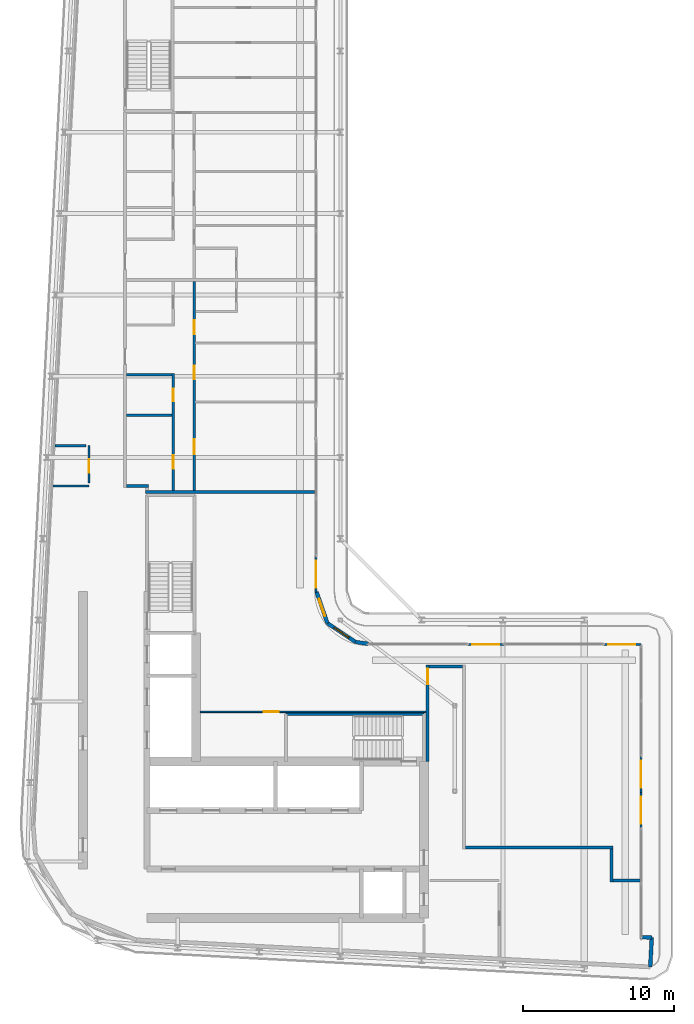
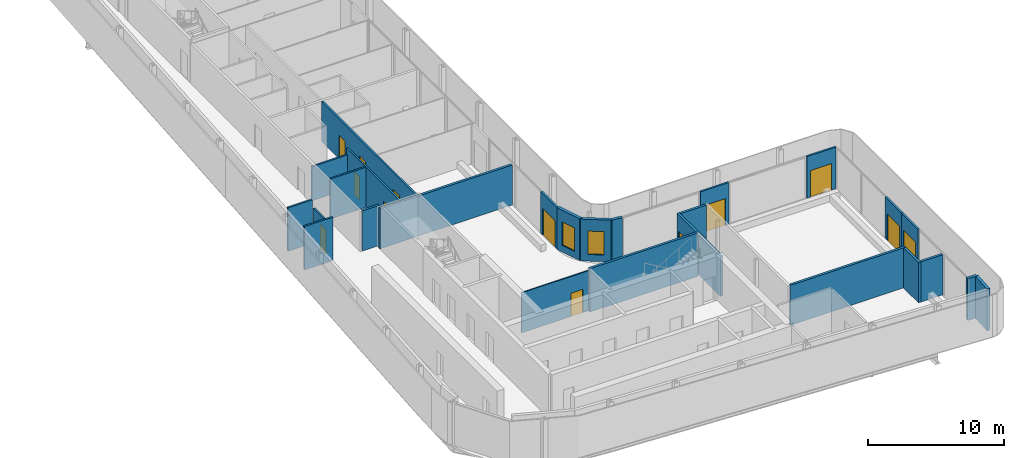
# One storey, part 12 of 20: 26 walls, 13 doors, 2 windows, 15 openings.
"""IFC4 building model written with IfcOpenShell, lengths in metres."""

from ifc_helpers import new_model, si_unit, direction, frame, frame_2d, origin, place, context, subcontext, project, spatial, rectangle, extrude, source, transform, mapped, material, layer, layer_set, type_object, element, fill, save


model = new_model("IFC4")

# Units and contexts
model_context = context("Model", 3, precision=1e-05, world=origin(), true_north=direction((0.0, 1.0)))
body_context = subcontext(model_context, "Body", "Model", "MODEL_VIEW")
ifc_project = project(units=[si_unit("LENGTHUNIT", "METRE"), si_unit("AREAUNIT", "SQUARE_METRE"), si_unit("VOLUMEUNIT", "CUBIC_METRE"), si_unit("PLANEANGLEUNIT", "RADIAN"), si_unit("MASSUNIT", "GRAM", prefix="KILO")], contexts=[model_context])

# Site, building, storey
site_placement = place(None, origin())
site = spatial("IfcSite", under=ifc_project, at=site_placement, CompositionType="ELEMENT")
building_placement = place(site_placement, origin())
building = spatial("IfcBuilding", under=site, at=building_placement, Name="Kheshtan School and Residences Tower", CompositionType="ELEMENT")
storey_placement = place(building_placement, frame((0.0, 0.0, 286.39990234375)))
storey = spatial("IfcBuildingStorey", under=building, at=storey_placement, Name="L67", CompositionType="ELEMENT", Elevation=286.39990234375)

# Wall
ifc_material_1 = material(Name="Gypsum board on steel studs with fire boards", Category="steel")
ifc_layer_1 = layer(ifc_material_1, 0.199951171875)
ifc_layer_set_1 = layer_set([ifc_layer_1], Name="Corridor wall 200")
wall_type_1 = type_object("IfcWallType", Name="Corridor wall 200", PredefinedType="PARTITIONING", material=ifc_layer_set_1)
wall_1_placement = place(storey_placement, frame((33.39990234375, 54.5, 0.0), z_axis=(0.0, 0.0, 1.0), x_axis=(1.0, 0.0, 0.0)))
element("IfcWall", 1, at=wall_1_placement, inside=storey, type_object=wall_type_1, Name="Partition L67-005", PredefinedType="PARTITIONING", context=body_context, shape_type="SweptSolid", body=[
    extrude(rectangle(XDim=1.4501953125, YDim=0.199951171875, at=frame_2d((0.72509765625, 0.0))), origin(), (0.0, 0.0, 1.0), 3.60009765625),
])

# Wall, opening, door
wall_2_placement = place(storey_placement, frame((53.39990234375, 36.198974609375, 0.0), z_axis=(0.0, 0.0, 1.0), x_axis=(0.0, 1.0, 0.0)))
wall_2 = element("IfcWall", 2, at=wall_2_placement, inside=storey, type_object=wall_type_1, Name="Partition L67-039", PredefinedType="PARTITIONING", context=body_context, shape_type="SweptSolid", body=[
    extrude(rectangle(XDim=6.401123046875, YDim=0.199951171875, at=frame_2d((3.20068359375, 0.0))), origin(), (0.0, 0.0, 1.0), 3.60009765625),
])
opening_1_placement = place(wall_2_placement, frame((5.15087890625, 0.0, 0.0)))
opening_1 = element("IfcOpeningElement", 3, at=opening_1_placement, cuts=wall_2, Name="Opening D66-502", PredefinedType="OPENING", context=body_context, shape_type="SweptSolid", body=[
    extrude(rectangle(XDim=1.0, YDim=2.10009765625, at=frame_2d((0.5, 1.050048828125))), frame((0.0, 0.10986328125, 0.0), z_axis=(0.0, -1.0, 0.0), x_axis=(1.0, 0.0, 0.0)), (0.0, 0.0, 1.0), 0.219970703125),
])
ifc_material_2 = material(Name="Steel-framed fire-resisting door leaf", Category="steel")
door_type_1 = type_object("IfcDoorType", Name="Fire door FD60 1000 x 2100", OperationType="SINGLE_SWING_LEFT", PredefinedType="DOOR", material=ifc_material_2)
shared_shape_1 = source(origin(), body_context, "Body", "SweptSolid", [
    extrude(rectangle(XDim=1.0, YDim=2.10009765625, at=frame_2d((0.5, 1.050048828125))), frame((0.0, 0.02490234375, 0.0), z_axis=(0.0, -1.0, 0.0), x_axis=(1.0, 0.0, 0.0)), (0.0, 0.0, 1.0), 0.050048828125),
])
door_1_placement = place(opening_1_placement, origin())
door_1 = element("IfcDoor", 4, at=door_1_placement, inside=storey, type_object=door_type_1, Name="Door D66-502", OperationType="SINGLE_SWING_RIGHT", OverallHeight=2.10009765625, OverallWidth=1.0, PredefinedType="DOOR", context=body_context, shape_type="MappedRepresentation", body=[
    mapped(shared_shape_1, transform((0.0, 0.0, 0.0), x_axis=(1.0, 0.0, 0.0), y_axis=(0.0, 1.0, 0.0), z_axis=(0.0, 0.0, 1.0), scale=1.0)),
])
fill(opening_1, door_1)

# Walls
wall_3_placement = place(storey_placement, frame((53.5, 42.5, 0.0), z_axis=(0.0, 0.0, 1.0), x_axis=(1.0, 0.0, 0.0)))
element("IfcWall", 5, at=wall_3_placement, inside=storey, type_object=wall_type_1, Name="Partition L67-040", PredefinedType="PARTITIONING", context=body_context, shape_type="SweptSolid", body=[
    extrude(rectangle(XDim=2.199951171875, YDim=0.199951171875, at=frame_2d((1.10009765625, 0.0))), origin(), (0.0, 0.0, 1.0), 3.60009765625),
])
wall_4_placement = place(storey_placement, frame((55.89990234375, 30.5, 0.0), z_axis=(0.0, 0.0, 1.0), x_axis=(1.0, 0.0, 0.0)))
element("IfcWall", 6, at=wall_4_placement, inside=storey, type_object=wall_type_1, Name="Partition L67-042", PredefinedType="PARTITIONING", context=body_context, shape_type="SweptSolid", body=[
    extrude(rectangle(XDim=9.800048828125, YDim=0.199951171875, at=frame_2d((4.89990234375, 0.0))), origin(), (0.0, 0.0, 1.0), 3.60009765625),
])
wall_5_placement = place(storey_placement, frame((65.60009765625, 28.199951171875, 0.0), z_axis=(0.0, 0.0, 1.0), x_axis=(0.0, 1.0, 0.0)))
element("IfcWall", 7, at=wall_5_placement, inside=storey, type_object=wall_type_1, Name="Partition L67-043", PredefinedType="PARTITIONING", context=body_context, shape_type="SweptSolid", body=[
    extrude(rectangle(XDim=2.199951171875, YDim=0.199951171875, at=frame_2d((1.10009765625, 0.0))), origin(), (0.0, 0.0, 1.0), 3.60009765625),
])
wall_6_placement = place(storey_placement, frame((65.699951171875, 28.300048828125, 0.0), z_axis=(0.0, 0.0, 1.0), x_axis=(1.0, 0.0, 0.0)))
element("IfcWall", 8, at=wall_6_placement, inside=storey, type_object=wall_type_1, Name="Partition L67-044", PredefinedType="PARTITIONING", context=body_context, shape_type="SweptSolid", body=[
    extrude(rectangle(XDim=1.8701171875, YDim=0.199951171875, at=frame_2d((0.93505859375, 0.0))), origin(), (0.0, 0.0, 1.0), 3.60009765625),
])

# Wall, opening, window
ifc_material_3 = material(Name="Concrete C40/50 with ceramic cladding and mineral wool insulation", Category="concrete")
ifc_layer_2 = layer(ifc_material_3, 0.25)
ifc_layer_set_2 = layer_set([ifc_layer_2], Name="External wall 250 ceramic clad")
wall_type_2 = type_object("IfcWallType", Name="External wall 250 ceramic clad", PredefinedType="SOLIDWALL", material=ifc_layer_set_2)
wall_7_placement = place(storey_placement, frame((46.01806640625, 47.470947265625, 0.0), z_axis=(0.0, 0.0, 1.0), x_axis=(0.328791208903, -0.944402637093, 0.0)))
wall_7 = element("IfcWall", 9, at=wall_7_placement, inside=storey, type_object=wall_type_2, Name="External wall L67 9", PredefinedType="SOLIDWALL", context=body_context, shape_type="SweptSolid", body=[
    extrude(rectangle(XDim=2.20458984375, YDim=0.25, at=frame_2d((1.102294921875, 0.0))), origin(), (0.0, 0.0, 1.0), 3.75),
])
opening_2_placement = place(wall_7_placement, frame((0.5029296875, 0.0, 0.60009765625)))
opening_2 = element("IfcOpeningElement", 10, at=opening_2_placement, cuts=wall_7, Name="Opening WN-E", PredefinedType="OPENING", context=body_context, shape_type="SweptSolid", body=[
    extrude(rectangle(XDim=1.199951171875, YDim=2.10009765625, at=frame_2d((0.60009765625, 1.050048828125))), frame((0.0, 0.135009765625, 0.0), z_axis=(0.0, -1.0, 0.0), x_axis=(1.0, 0.0, 0.0)), (0.0, 0.0, 1.0), 0.27001953125),
])
ifc_material_4 = material(Name="Clear low-e glass in thermally broken aluminium frame", Category="aluminium")
window_type = type_object("IfcWindowType", Name="Window WN-E", PartitioningType="SINGLE_PANEL", PredefinedType="WINDOW", material=ifc_material_4)
shared_shape_2 = source(origin(), body_context, "Body", "SweptSolid", [
    extrude(rectangle(XDim=1.199951171875, YDim=2.10009765625, at=frame_2d((0.60009765625, 1.050048828125))), frame((0.0, 0.030029296875, 0.0), z_axis=(0.0, -1.0, 0.0), x_axis=(1.0, 0.0, 0.0)), (0.0, 0.0, 1.0), 0.06005859375),
])
window_1_placement = place(opening_2_placement, origin())
window_1 = element("IfcWindow", 11, at=window_1_placement, inside=storey, type_object=window_type, Name="Window L67 9", OverallHeight=2.10009765625, OverallWidth=1.199951171875, PartitioningType="SINGLE_PANEL", PredefinedType="WINDOW", context=body_context, shape_type="MappedRepresentation", body=[
    mapped(shared_shape_2, transform((0.0, 0.0, 0.0), x_axis=(1.0, 0.0, 0.0), y_axis=(0.0, 1.0, 0.0), z_axis=(0.0, 0.0, 1.0), scale=1.0)),
])
fill(opening_2, window_1)

wall_8_placement = place(storey_placement, frame((46.742919921875, 45.388916015625, 0.0), z_axis=(0.0, 0.0, 1.0), x_axis=(0.831449265529, -0.555600682912, 0.0)))
wall_8 = element("IfcWall", 12, at=wall_8_placement, inside=storey, type_object=wall_type_2, Name="External wall L67 10", PredefinedType="SOLIDWALL", context=body_context, shape_type="SweptSolid", body=[
    extrude(rectangle(XDim=2.25146484375, YDim=0.25, at=frame_2d((1.125732421875, 0.0))), origin(), (0.0, 0.0, 1.0), 3.75),
])
opening_3_placement = place(wall_8_placement, frame((0.52490234375, 0.0, 0.60009765625)))
opening_3 = element("IfcOpeningElement", 13, at=opening_3_placement, cuts=wall_8, Name="Opening WN-E", PredefinedType="OPENING", context=body_context, shape_type="SweptSolid", body=[
    extrude(rectangle(XDim=1.199951171875, YDim=2.10009765625, at=frame_2d((0.60009765625, 1.050048828125))), frame((0.0, 0.135009765625, 0.0), z_axis=(0.0, -1.0, 0.0), x_axis=(1.0, 0.0, 0.0)), (0.0, 0.0, 1.0), 0.27001953125),
])
window_2_placement = place(opening_3_placement, origin())
window_2 = element("IfcWindow", 14, at=window_2_placement, inside=storey, type_object=window_type, Name="Window L67 10", OverallHeight=2.10009765625, OverallWidth=1.199951171875, PartitioningType="SINGLE_PANEL", PredefinedType="WINDOW", context=body_context, shape_type="MappedRepresentation", body=[
    mapped(shared_shape_2, transform((0.0, 0.0, 0.0), x_axis=(1.0, 0.0, 0.0), y_axis=(0.0, 1.0, 0.0), z_axis=(0.0, 0.0, 1.0), scale=1.0)),
])
fill(opening_3, window_2)

# Walls
wall_9_placement = place(storey_placement, frame((48.614990234375, 44.137939453125, 0.0), z_axis=(0.0, 0.0, 1.0), x_axis=(0.990741504246, -0.135761819977, 0.0)))
element("IfcWall", 15, at=wall_9_placement, inside=storey, type_object=wall_type_2, Name="External wall L67 11", PredefinedType="SOLIDWALL", context=body_context, shape_type="SweptSolid", body=[
    extrude(rectangle(XDim=0.83984375, YDim=0.25, at=frame_2d((0.419921875, 0.0))), origin(), (0.0, 0.0, 1.0), 3.75),
])
wall_10_placement = place(storey_placement, frame((67.507080078125, 24.5439453125, 0.0), z_axis=(0.0, 0.0, 1.0), x_axis=(0.998561284263, -0.053622398031, 0.0)))
element("IfcWall", 16, at=wall_10_placement, inside=storey, type_object=wall_type_2, Name="External wall L67 14", PredefinedType="SOLIDWALL", context=body_context, shape_type="SweptSolid", body=[
    extrude(rectangle(XDim=0.783203125, YDim=0.25, at=frame_2d((0.3916015625, 0.0))), origin(), (0.0, 0.0, 1.0), 3.75),
])
wall_11_placement = place(storey_placement, frame((68.2890625, 24.501953125, 0.0), z_axis=(0.0, 0.0, 1.0), x_axis=(-0.052841433274, -0.998602915542, 0.0)))
element("IfcWall", 17, at=wall_11_placement, inside=storey, type_object=wall_type_2, Name="External wall L67 15", PredefinedType="SOLIDWALL", context=body_context, shape_type="SweptSolid", body=[
    extrude(rectangle(XDim=1.94970703125, YDim=0.25, at=frame_2d((0.974853515625, 0.0))), origin(), (0.0, 0.0, 1.0), 3.75),
])

# Wall, opening, door
ifc_material_5 = material(Name="Aluminium frame wall with insulated infill", Category="aluminium")
ifc_layer_3 = layer(ifc_material_5, 0.14990234375)
ifc_layer_set_3 = layer_set([ifc_layer_3], Name="Glazing frame wall 150")
wall_type_3 = type_object("IfcWallType", Name="Glazing frame wall 150", PredefinedType="SOLIDWALL", material=ifc_layer_set_3)
wall_12_placement = place(storey_placement, frame((45.97509765625, 49.830078125, 0.0), z_axis=(0.0, 0.0, 1.0), x_axis=(0.0, -1.0, 0.0)))
wall_12 = element("IfcWall", 18, at=wall_12_placement, inside=storey, type_object=wall_type_3, Name="Balcony door wall L67 8.5", PredefinedType="SOLIDWALL", context=body_context, shape_type="SweptSolid", body=[
    extrude(rectangle(XDim=2.400146484375, YDim=0.14990234375, at=frame_2d((1.2001953125, 0.0))), origin(), (0.0, 0.0, 1.0), 3.75),
])
opening_4_placement = place(wall_12_placement, frame((0.300048828125, 0.0, 0.0)))
opening_4 = element("IfcOpeningElement", 19, at=opening_4_placement, cuts=wall_12, Name="Opening BD", PredefinedType="OPENING", context=body_context, shape_type="SweptSolid", body=[
    extrude(rectangle(XDim=1.800048828125, YDim=2.39990234375, at=frame_2d((0.89990234375, 1.199951171875))), frame((0.0, 0.0849609375, 0.0), z_axis=(0.0, -1.0, 0.0), x_axis=(1.0, 0.0, 0.0)), (0.0, 0.0, 1.0), 0.169921875),
])
door_type_2 = type_object("IfcDoorType", Name="Balcony sliding door", OperationType="SLIDING_TO_LEFT", PredefinedType="DOOR", material=ifc_material_4)
shared_shape_3 = source(origin(), body_context, "Body", "SweptSolid", [
    extrude(rectangle(XDim=1.800048828125, YDim=2.39990234375, at=frame_2d((0.89990234375, 1.199951171875))), frame((0.0, 0.02490234375, 0.0), z_axis=(0.0, -1.0, 0.0), x_axis=(1.0, 0.0, 0.0)), (0.0, 0.0, 1.0), 0.050048828125),
])
door_2_placement = place(opening_4_placement, origin())
door_2 = element("IfcDoor", 20, at=door_2_placement, inside=storey, type_object=door_type_2, Name="Balcony door L67 8.5", OperationType="SLIDING_TO_LEFT", OverallHeight=2.39990234375, OverallWidth=1.800048828125, PredefinedType="DOOR", context=body_context, shape_type="MappedRepresentation", body=[
    mapped(shared_shape_3, transform((0.0, 0.0, 0.0), x_axis=(1.0, 0.0, 0.0), y_axis=(0.0, 1.0, 0.0), z_axis=(0.0, 0.0, 1.0), scale=1.0)),
])
fill(opening_4, door_2)

wall_13_placement = place(storey_placement, frame((56.06494140625, 43.97509765625, 0.0), z_axis=(0.0, 0.0, 1.0), x_axis=(1.0, 0.0, 0.0)))
wall_13 = element("IfcWall", 21, at=wall_13_placement, inside=storey, type_object=wall_type_3, Name="Balcony door wall L67 12.1", PredefinedType="SOLIDWALL", context=body_context, shape_type="SweptSolid", body=[
    extrude(rectangle(XDim=2.400146484375, YDim=0.14990234375, at=frame_2d((1.2001953125, 0.0))), origin(), (0.0, 0.0, 1.0), 3.75),
])
opening_5_placement = place(wall_13_placement, frame((0.300048828125, 0.0, 0.0)))
opening_5 = element("IfcOpeningElement", 22, at=opening_5_placement, cuts=wall_13, Name="Opening BD", PredefinedType="OPENING", context=body_context, shape_type="SweptSolid", body=[
    extrude(rectangle(XDim=1.800048828125, YDim=2.39990234375, at=frame_2d((0.89990234375, 1.199951171875))), frame((0.0, 0.0849609375, 0.0), z_axis=(0.0, -1.0, 0.0), x_axis=(1.0, 0.0, 0.0)), (0.0, 0.0, 1.0), 0.169921875),
])
door_3_placement = place(opening_5_placement, origin())
door_3 = element("IfcDoor", 23, at=door_3_placement, inside=storey, type_object=door_type_2, Name="Balcony door L67 12.1", OperationType="SLIDING_TO_LEFT", OverallHeight=2.39990234375, OverallWidth=1.800048828125, PredefinedType="DOOR", context=body_context, shape_type="MappedRepresentation", body=[
    mapped(shared_shape_3, transform((0.0, 0.0, 0.0), x_axis=(1.0, 0.0, 0.0), y_axis=(0.0, 1.0, 0.0), z_axis=(0.0, 0.0, 1.0), scale=1.0)),
])
fill(opening_5, door_3)

wall_14_placement = place(storey_placement, frame((65.10009765625, 43.97509765625, 0.0), z_axis=(0.0, 0.0, 1.0), x_axis=(1.0, 0.0, 0.0)))
wall_14 = element("IfcWall", 24, at=wall_14_placement, inside=storey, type_object=wall_type_3, Name="Balcony door wall L67 12.2", PredefinedType="SOLIDWALL", context=body_context, shape_type="SweptSolid", body=[
    extrude(rectangle(XDim=2.469970703125, YDim=0.14990234375, at=frame_2d((1.23486328125, 0.0))), origin(), (0.0, 0.0, 1.0), 3.75),
])
opening_6_placement = place(wall_14_placement, frame((0.300048828125, 0.0, 0.0)))
opening_6 = element("IfcOpeningElement", 25, at=opening_6_placement, cuts=wall_14, Name="Opening BD", PredefinedType="OPENING", context=body_context, shape_type="SweptSolid", body=[
    extrude(rectangle(XDim=1.800048828125, YDim=2.39990234375, at=frame_2d((0.89990234375, 1.199951171875))), frame((0.0, 0.0849609375, 0.0), z_axis=(0.0, -1.0, 0.0), x_axis=(1.0, 0.0, 0.0)), (0.0, 0.0, 1.0), 0.169921875),
])
door_4_placement = place(opening_6_placement, origin())
door_4 = element("IfcDoor", 26, at=door_4_placement, inside=storey, type_object=door_type_2, Name="Balcony door L67 12.2", OperationType="SLIDING_TO_LEFT", OverallHeight=2.39990234375, OverallWidth=1.800048828125, PredefinedType="DOOR", context=body_context, shape_type="MappedRepresentation", body=[
    mapped(shared_shape_3, transform((0.0, 0.0, 0.0), x_axis=(1.0, 0.0, 0.0), y_axis=(0.0, 1.0, 0.0), z_axis=(0.0, 0.0, 1.0), scale=1.0)),
])
fill(opening_6, door_4)

wall_15_placement = place(storey_placement, frame((67.574951171875, 36.55908203125, 0.0), z_axis=(0.0, 0.0, 1.0), x_axis=(0.0, -1.0, 0.0)))
wall_15 = element("IfcWall", 27, at=wall_15_placement, inside=storey, type_object=wall_type_3, Name="Balcony door wall L67 13.1", PredefinedType="SOLIDWALL", context=body_context, shape_type="SweptSolid", body=[
    extrude(rectangle(XDim=2.399169921875, YDim=0.14990234375, at=frame_2d((1.19970703125, 0.0))), origin(), (0.0, 0.0, 1.0), 3.75),
])
opening_7_placement = place(wall_15_placement, frame((0.300048828125, 0.0, 0.0)))
opening_7 = element("IfcOpeningElement", 28, at=opening_7_placement, cuts=wall_15, Name="Opening BD", PredefinedType="OPENING", context=body_context, shape_type="SweptSolid", body=[
    extrude(rectangle(XDim=1.800048828125, YDim=2.39990234375, at=frame_2d((0.89990234375, 1.199951171875))), frame((0.0, 0.0849609375, 0.0), z_axis=(0.0, -1.0, 0.0), x_axis=(1.0, 0.0, 0.0)), (0.0, 0.0, 1.0), 0.169921875),
])
door_5_placement = place(opening_7_placement, origin())
door_5 = element("IfcDoor", 29, at=door_5_placement, inside=storey, type_object=door_type_2, Name="Balcony door L67 13.1", OperationType="SLIDING_TO_LEFT", OverallHeight=2.39990234375, OverallWidth=1.800048828125, PredefinedType="DOOR", context=body_context, shape_type="MappedRepresentation", body=[
    mapped(shared_shape_3, transform((0.0, 0.0, 0.0), x_axis=(1.0, 0.0, 0.0), y_axis=(0.0, 1.0, 0.0), z_axis=(0.0, 0.0, 1.0), scale=1.0)),
])
fill(opening_7, door_5)

wall_16_placement = place(storey_placement, frame((67.574951171875, 34.159912109375, 0.0), z_axis=(0.0, 0.0, 1.0), x_axis=(0.0, -1.0, 0.0)))
wall_16 = element("IfcWall", 30, at=wall_16_placement, inside=storey, type_object=wall_type_3, Name="Balcony door wall L67 13.2", PredefinedType="SOLIDWALL", context=body_context, shape_type="SweptSolid", body=[
    extrude(rectangle(XDim=2.40087890625, YDim=0.14990234375, at=frame_2d((1.200439453125, 0.0))), origin(), (0.0, 0.0, 1.0), 3.75),
])
opening_8_placement = place(wall_16_placement, frame((0.300048828125, 0.0, 0.0)))
opening_8 = element("IfcOpeningElement", 31, at=opening_8_placement, cuts=wall_16, Name="Opening BD", PredefinedType="OPENING", context=body_context, shape_type="SweptSolid", body=[
    extrude(rectangle(XDim=1.800048828125, YDim=2.39990234375, at=frame_2d((0.89990234375, 1.199951171875))), frame((0.0, 0.0849609375, 0.0), z_axis=(0.0, -1.0, 0.0), x_axis=(1.0, 0.0, 0.0)), (0.0, 0.0, 1.0), 0.169921875),
])
door_6_placement = place(opening_8_placement, origin())
door_6 = element("IfcDoor", 32, at=door_6_placement, inside=storey, type_object=door_type_2, Name="Balcony door L67 13.2", OperationType="SLIDING_TO_LEFT", OverallHeight=2.39990234375, OverallWidth=1.800048828125, PredefinedType="DOOR", context=body_context, shape_type="MappedRepresentation", body=[
    mapped(shared_shape_3, transform((0.0, 0.0, 0.0), x_axis=(1.0, 0.0, 0.0), y_axis=(0.0, 1.0, 0.0), z_axis=(0.0, 0.0, 1.0), scale=1.0)),
])
fill(opening_8, door_6)

ifc_material_6 = material(Name="Gypsum board on steel studs", Category="steel")
ifc_layer_4 = layer(ifc_material_6, 0.10009765625)
ifc_layer_set_4 = layer_set([ifc_layer_4], Name="Gypsum partition 100")
wall_type_4 = type_object("IfcWallType", Name="Gypsum partition 100", PredefinedType="PARTITIONING", material=ifc_layer_set_4)
wall_17_placement = place(storey_placement, frame((38.299072265625, 39.5, 0.0), z_axis=(0.0, 0.0, 1.0), x_axis=(1.0, 0.0, 0.0)))
wall_17 = element("IfcWall", 33, at=wall_17_placement, inside=storey, type_object=wall_type_4, Name="Partition L67-036", PredefinedType="PARTITIONING", context=body_context, shape_type="SweptSolid", body=[
    extrude(rectangle(XDim=15.0009765625, YDim=0.10009765625, at=frame_2d((7.50048828125, 0.0))), origin(), (0.0, 0.0, 1.0), 3.60009765625),
])
opening_9_placement = place(wall_17_placement, frame((4.197021484375, 0.0, 0.0)))
opening_9 = element("IfcOpeningElement", 34, at=opening_9_placement, cuts=wall_17, Name="Opening D66-501", PredefinedType="OPENING", context=body_context, shape_type="SweptSolid", body=[
    extrude(rectangle(XDim=1.0, YDim=2.10009765625, at=frame_2d((0.5, 1.050048828125))), frame((0.0, 0.06005859375, 0.0), z_axis=(0.0, -1.0, 0.0), x_axis=(1.0, 0.0, 0.0)), (0.0, 0.0, 1.0), 0.1201171875),
])
ifc_material_7 = material(Name="Veneered timber door leaf", Category="wood")
door_type_3 = type_object("IfcDoorType", Name="Door 1000 x 2100", OperationType="SINGLE_SWING_LEFT", PredefinedType="DOOR", material=ifc_material_7)
shared_shape_4 = source(origin(), body_context, "Body", "SweptSolid", [
    extrude(rectangle(XDim=1.0, YDim=2.10009765625, at=frame_2d((0.5, 1.050048828125))), frame((0.0, 0.02490234375, 0.0), z_axis=(0.0, -1.0, 0.0), x_axis=(1.0, 0.0, 0.0)), (0.0, 0.0, 1.0), 0.050048828125),
])
door_7_placement = place(opening_9_placement, origin())
door_7 = element("IfcDoor", 35, at=door_7_placement, inside=storey, type_object=door_type_3, Name="Door D66-501", OperationType="SINGLE_SWING_LEFT", OverallHeight=2.10009765625, OverallWidth=1.0, PredefinedType="DOOR", context=body_context, shape_type="MappedRepresentation", body=[
    mapped(shared_shape_4, transform((0.0, 0.0, 0.0), x_axis=(1.0, 0.0, 0.0), y_axis=(0.0, 1.0, 0.0), z_axis=(0.0, 0.0, 1.0), scale=1.0)),
])
fill(opening_9, door_7)

# Wall
ifc_material_8 = material(Name="Fire-board shaft wall system")
ifc_layer_5 = layer(ifc_material_8, 0.14990234375)
ifc_layer_set_5 = layer_set([ifc_layer_5], Name="Service room wall 150")
wall_type_5 = type_object("IfcWallType", Name="Service room wall 150", PredefinedType="PARTITIONING", material=ifc_layer_set_5)
wall_18_placement = place(storey_placement, frame((28.508056640625, 54.5, 0.0), z_axis=(0.0, 0.0, 1.0), x_axis=(1.0, 0.0, 0.0)))
element("IfcWall", 36, at=wall_18_placement, inside=storey, type_object=wall_type_5, Name="Service room wall", PredefinedType="PARTITIONING", context=body_context, shape_type="SweptSolid", body=[
    extrude(rectangle(XDim=2.391845703125, YDim=0.14990234375, at=frame_2d((1.19580078125, 0.0))), origin(), (0.0, 0.0, 1.0), 3.900146484375),
])

# Wall, opening, door
wall_19_placement = place(storey_placement, frame((30.89990234375, 54.695068359375, 0.0), z_axis=(0.0, 0.0, 1.0), x_axis=(0.0, 1.0, 0.0)))
wall_19 = element("IfcWall", 37, at=wall_19_placement, inside=storey, type_object=wall_type_5, Name="Service room wall", PredefinedType="PARTITIONING", context=body_context, shape_type="SweptSolid", body=[
    extrude(rectangle(XDim=2.48681640625, YDim=0.14990234375, at=frame_2d((1.243408203125, 0.0))), origin(), (0.0, 0.0, 1.0), 3.072021484375),
])
opening_10_placement = place(wall_19_placement, frame((0.696044921875, 0.0, 0.0)))
opening_10 = element("IfcOpeningElement", 38, at=opening_10_placement, cuts=wall_19, Name="Opening SR90", PredefinedType="OPENING", context=body_context, shape_type="SweptSolid", body=[
    extrude(rectangle(XDim=0.89990234375, YDim=2.199951171875, at=frame_2d((0.449951171875, 1.10009765625))), frame((0.0, 0.0849609375, 0.0), z_axis=(0.0, -1.0, 0.0), x_axis=(1.0, 0.0, 0.0)), (0.0, 0.0, 1.0), 0.169921875),
])
ifc_material_9 = material(Name="Steel door leaf, galvanised", Category="steel")
door_type_4 = type_object("IfcDoorType", Name="Service room door 900 steel 90 min", OperationType="SINGLE_SWING_LEFT", PredefinedType="DOOR", material=ifc_material_9)
shared_shape_5 = source(origin(), body_context, "Body", "SweptSolid", [
    extrude(rectangle(XDim=0.89990234375, YDim=2.199951171875, at=frame_2d((0.449951171875, 1.10009765625))), frame((0.0, 0.02490234375, 0.0), z_axis=(0.0, -1.0, 0.0), x_axis=(1.0, 0.0, 0.0)), (0.0, 0.0, 1.0), 0.050048828125),
])
door_8_placement = place(opening_10_placement, origin())
door_8 = element("IfcDoor", 39, at=door_8_placement, inside=storey, type_object=door_type_4, Name="Service room door", OperationType="SINGLE_SWING_LEFT", OverallHeight=2.199951171875, OverallWidth=0.89990234375, PredefinedType="DOOR", context=body_context, shape_type="MappedRepresentation", body=[
    mapped(shared_shape_5, transform((0.0, 0.0, 0.0), x_axis=(1.0, 0.0, 0.0), y_axis=(0.0, 1.0, 0.0), z_axis=(0.0, 0.0, 1.0), scale=1.0)),
])
fill(opening_10, door_8)

# Walls
wall_20_placement = place(storey_placement, frame((28.64892578125, 57.181884765625, 0.0), z_axis=(0.0, 0.0, 1.0), x_axis=(1.0, 0.0, 0.0)))
element("IfcWall", 40, at=wall_20_placement, inside=storey, type_object=wall_type_5, Name="Service room wall", PredefinedType="PARTITIONING", context=body_context, shape_type="SweptSolid", body=[
    extrude(rectangle(XDim=2.05615234375, YDim=0.14990234375, at=frame_2d((1.028076171875, 0.0))), origin(), (0.0, 0.0, 1.0), 3.900146484375),
])
ifc_material_10 = material(Name="Concrete C40/50", Category="concrete")
ifc_layer_6 = layer(ifc_material_10, 0.199951171875)
ifc_layer_set_6 = layer_set([ifc_layer_6], Name="Stair enclosure wall 200 Concrete C40/50")
wall_type_6 = type_object("IfcWallType", Name="Stair enclosure wall 200 Concrete C40/50", PredefinedType="SHEAR", material=ifc_layer_set_6)
wall_21_placement = place(storey_placement, frame((43.989990234375, 39.35009765625, 0.0), z_axis=(0.0, 0.0, 1.0), x_axis=(1.0, 0.0, 0.0)))
element("IfcWall", 41, at=wall_21_placement, inside=storey, type_object=wall_type_6, Name="Stair enclosure wall ST1", PredefinedType="SHEAR", context=body_context, shape_type="SweptSolid", body=[
    extrude(rectangle(XDim=9.159912109375, YDim=0.199951171875, at=frame_2d((4.580078125, 0.0))), origin(), (0.0, 0.0, 1.0), 3.900146484375),
])
ifc_material_11 = material(Name="Twin gypsum board on steel studs with mineral wool", Category="steel")
ifc_layer_7 = layer(ifc_material_11, 0.199951171875)
ifc_layer_set_7 = layer_set([ifc_layer_7], Name="Unit demising wall 200")
wall_type_7 = type_object("IfcWallType", Name="Unit demising wall 200", PredefinedType="PARTITIONING", material=ifc_layer_set_7)
wall_22_placement = place(storey_placement, frame((34.64990234375, 54.10009765625, 0.0), z_axis=(0.0, 0.0, 1.0), x_axis=(1.0, 0.0, 0.0)))
element("IfcWall", 42, at=wall_22_placement, inside=storey, type_object=wall_type_7, Name="Partition L67-016", PredefinedType="PARTITIONING", context=body_context, shape_type="SweptSolid", body=[
    extrude(rectangle(XDim=11.25, YDim=0.199951171875, at=frame_2d((5.625, 0.0))), origin(), (0.0, 0.0, 1.0), 3.60009765625),
])
ifc_material_12 = material(Name="Moisture-resistant gypsum board on steel studs", Category="steel")
ifc_layer_8 = layer(ifc_material_12, 0.14990234375)
ifc_layer_set_8 = layer_set([ifc_layer_8], Name="Wet-room partition 150")
wall_type_8 = type_object("IfcWallType", Name="Wet-room partition 150", PredefinedType="PARTITIONING", material=ifc_layer_set_8)
wall_23_placement = place(storey_placement, frame((33.39990234375, 59.199951171875, 0.0), z_axis=(0.0, 0.0, 1.0), x_axis=(1.0, 0.0, 0.0)))
element("IfcWall", 43, at=wall_23_placement, inside=storey, type_object=wall_type_8, Name="Partition L67-006", PredefinedType="PARTITIONING", context=body_context, shape_type="SweptSolid", body=[
    extrude(rectangle(XDim=3.025146484375, YDim=0.14990234375, at=frame_2d((1.5126953125, 0.0))), origin(), (0.0, 0.0, 1.0), 3.60009765625),
])
wall_24_placement = place(storey_placement, frame((33.39990234375, 61.89990234375, 0.0), z_axis=(0.0, 0.0, 1.0), x_axis=(1.0, 0.0, 0.0)))
element("IfcWall", 44, at=wall_24_placement, inside=storey, type_object=wall_type_8, Name="Partition L67-007", PredefinedType="PARTITIONING", context=body_context, shape_type="SweptSolid", body=[
    extrude(rectangle(XDim=3.025146484375, YDim=0.14990234375, at=frame_2d((1.5126953125, 0.0))), origin(), (0.0, 0.0, 1.0), 3.072021484375),
])

# Wall, openings, doors
wall_25_placement = place(storey_placement, frame((36.5, 54.199951171875, 0.0), z_axis=(0.0, 0.0, 1.0), x_axis=(0.0, 1.0, 0.0)))
wall_25 = element("IfcWall", 45, at=wall_25_placement, inside=storey, type_object=wall_type_8, Name="Partition L67-018", PredefinedType="PARTITIONING", context=body_context, shape_type="SweptSolid", body=[
    extrude(rectangle(XDim=7.775146484375, YDim=0.14990234375, at=frame_2d((3.8876953125, 0.0))), origin(), (0.0, 0.0, 1.0), 3.60009765625),
])
opening_11_placement = place(wall_25_placement, frame((1.449951171875, 0.0, 0.0)))
opening_11 = element("IfcOpeningElement", 46, at=opening_11_placement, cuts=wall_25, Name="Opening D66-005", PredefinedType="OPENING", context=body_context, shape_type="SweptSolid", body=[
    extrude(rectangle(XDim=0.89990234375, YDim=2.10009765625, at=frame_2d((0.449951171875, 1.050048828125))), frame((0.0, 0.0849609375, 0.0), z_axis=(0.0, -1.0, 0.0), x_axis=(1.0, 0.0, 0.0)), (0.0, 0.0, 1.0), 0.169921875),
])
opening_12_placement = place(wall_25_placement, frame((5.949951171875, 0.0, 0.0)))
opening_12 = element("IfcOpeningElement", 47, at=opening_12_placement, cuts=wall_25, Name="Opening D66-008", PredefinedType="OPENING", context=body_context, shape_type="SweptSolid", body=[
    extrude(rectangle(XDim=0.800048828125, YDim=2.10009765625, at=frame_2d((0.39990234375, 1.050048828125))), frame((0.0, 0.0849609375, 0.0), z_axis=(0.0, -1.0, 0.0), x_axis=(1.0, 0.0, 0.0)), (0.0, 0.0, 1.0), 0.169921875),
])
door_type_5 = type_object("IfcDoorType", Name="Door 800 x 2100", OperationType="SINGLE_SWING_LEFT", PredefinedType="DOOR", material=ifc_material_7)
shared_shape_6 = source(origin(), body_context, "Body", "SweptSolid", [
    extrude(rectangle(XDim=0.800048828125, YDim=2.10009765625, at=frame_2d((0.39990234375, 1.050048828125))), frame((0.0, 0.02490234375, 0.0), z_axis=(0.0, -1.0, 0.0), x_axis=(1.0, 0.0, 0.0)), (0.0, 0.0, 1.0), 0.050048828125),
])
door_9_placement = place(opening_12_placement, origin())
door_9 = element("IfcDoor", 48, at=door_9_placement, inside=storey, type_object=door_type_5, Name="Door D66-008", OperationType="SINGLE_SWING_RIGHT", OverallHeight=2.10009765625, OverallWidth=0.800048828125, PredefinedType="DOOR", context=body_context, shape_type="MappedRepresentation", body=[
    mapped(shared_shape_6, transform((0.0, 0.0, 0.0), x_axis=(1.0, 0.0, 0.0), y_axis=(0.0, 1.0, 0.0), z_axis=(0.0, 0.0, 1.0), scale=1.0)),
])
fill(opening_12, door_9)
door_type_6 = type_object("IfcDoorType", Name="Door 900 x 2100", OperationType="SINGLE_SWING_LEFT", PredefinedType="DOOR", material=ifc_material_7)
shared_shape_7 = source(origin(), body_context, "Body", "SweptSolid", [
    extrude(rectangle(XDim=0.89990234375, YDim=2.10009765625, at=frame_2d((0.449951171875, 1.050048828125))), frame((0.0, 0.02490234375, 0.0), z_axis=(0.0, -1.0, 0.0), x_axis=(1.0, 0.0, 0.0)), (0.0, 0.0, 1.0), 0.050048828125),
])
door_10_placement = place(opening_11_placement, origin())
door_10 = element("IfcDoor", 49, at=door_10_placement, inside=storey, type_object=door_type_6, Name="Door D66-005", OperationType="SINGLE_SWING_RIGHT", OverallHeight=2.10009765625, OverallWidth=0.89990234375, PredefinedType="DOOR", context=body_context, shape_type="MappedRepresentation", body=[
    mapped(shared_shape_7, transform((0.0, 0.0, 0.0), x_axis=(1.0, 0.0, 0.0), y_axis=(0.0, 1.0, 0.0), z_axis=(0.0, 0.0, 1.0), scale=1.0)),
])
fill(opening_11, door_10)

wall_26_placement = place(storey_placement, frame((37.89990234375, 54.199951171875, 0.0), z_axis=(0.0, 0.0, 1.0), x_axis=(0.0, 1.0, 0.0)))
wall_26 = element("IfcWall", 50, at=wall_26_placement, inside=storey, type_object=wall_type_8, Name="Partition L67-026", PredefinedType="PARTITIONING", context=body_context, shape_type="SweptSolid", body=[
    extrude(rectangle(XDim=13.900146484375, YDim=0.14990234375, at=frame_2d((6.9501953125, 0.0))), origin(), (0.0, 0.0, 1.0), 3.60009765625),
])
opening_13_placement = place(wall_26_placement, frame((7.39990234375, 0.0, 0.0)))
opening_13 = element("IfcOpeningElement", 51, at=opening_13_placement, cuts=wall_26, Name="Opening D66-002", PredefinedType="OPENING", context=body_context, shape_type="SweptSolid", body=[
    extrude(rectangle(XDim=0.89990234375, YDim=2.10009765625, at=frame_2d((0.449951171875, 1.050048828125))), frame((0.0, 0.0849609375, 0.0), z_axis=(0.0, -1.0, 0.0), x_axis=(1.0, 0.0, 0.0)), (0.0, 0.0, 1.0), 0.169921875),
])
opening_14_placement = place(wall_26_placement, frame((2.39990234375, 0.0, 0.0)))
opening_14 = element("IfcOpeningElement", 52, at=opening_14_placement, cuts=wall_26, Name="Opening D66-006", PredefinedType="OPENING", context=body_context, shape_type="SweptSolid", body=[
    extrude(rectangle(XDim=1.0, YDim=2.10009765625, at=frame_2d((0.5, 1.050048828125))), frame((0.0, 0.0849609375, 0.0), z_axis=(0.0, -1.0, 0.0), x_axis=(1.0, 0.0, 0.0)), (0.0, 0.0, 1.0), 0.169921875),
])
opening_15_placement = place(wall_26_placement, frame((10.39990234375, 0.0, 0.0)))
opening_15 = element("IfcOpeningElement", 53, at=opening_15_placement, cuts=wall_26, Name="Opening D66-007", PredefinedType="OPENING", context=body_context, shape_type="SweptSolid", body=[
    extrude(rectangle(XDim=0.89990234375, YDim=2.10009765625, at=frame_2d((0.449951171875, 1.050048828125))), frame((0.0, 0.0849609375, 0.0), z_axis=(0.0, -1.0, 0.0), x_axis=(1.0, 0.0, 0.0)), (0.0, 0.0, 1.0), 0.169921875),
])
door_11_placement = place(opening_14_placement, origin())
door_11 = element("IfcDoor", 54, at=door_11_placement, inside=storey, type_object=door_type_3, Name="Door D66-006", OperationType="SINGLE_SWING_RIGHT", OverallHeight=2.10009765625, OverallWidth=1.0, PredefinedType="DOOR", context=body_context, shape_type="MappedRepresentation", body=[
    mapped(shared_shape_4, transform((0.0, 0.0, 0.0), x_axis=(1.0, 0.0, 0.0), y_axis=(0.0, 1.0, 0.0), z_axis=(0.0, 0.0, 1.0), scale=1.0)),
])
fill(opening_14, door_11)
door_12_placement = place(opening_13_placement, origin())
door_12 = element("IfcDoor", 55, at=door_12_placement, inside=storey, type_object=door_type_6, Name="Door D66-002", OperationType="SINGLE_SWING_RIGHT", OverallHeight=2.10009765625, OverallWidth=0.89990234375, PredefinedType="DOOR", context=body_context, shape_type="MappedRepresentation", body=[
    mapped(shared_shape_7, transform((0.0, 0.0, 0.0), x_axis=(1.0, 0.0, 0.0), y_axis=(0.0, 1.0, 0.0), z_axis=(0.0, 0.0, 1.0), scale=1.0)),
])
fill(opening_13, door_12)
door_13_placement = place(opening_15_placement, origin())
door_13 = element("IfcDoor", 56, at=door_13_placement, inside=storey, type_object=door_type_6, Name="Door D66-007", OperationType="SINGLE_SWING_LEFT", OverallHeight=2.10009765625, OverallWidth=0.89990234375, PredefinedType="DOOR", context=body_context, shape_type="MappedRepresentation", body=[
    mapped(shared_shape_7, transform((0.0, 0.0, 0.0), x_axis=(1.0, 0.0, 0.0), y_axis=(0.0, 1.0, 0.0), z_axis=(0.0, 0.0, 1.0), scale=1.0)),
])
fill(opening_15, door_13)

save(model, "model.ifc")
